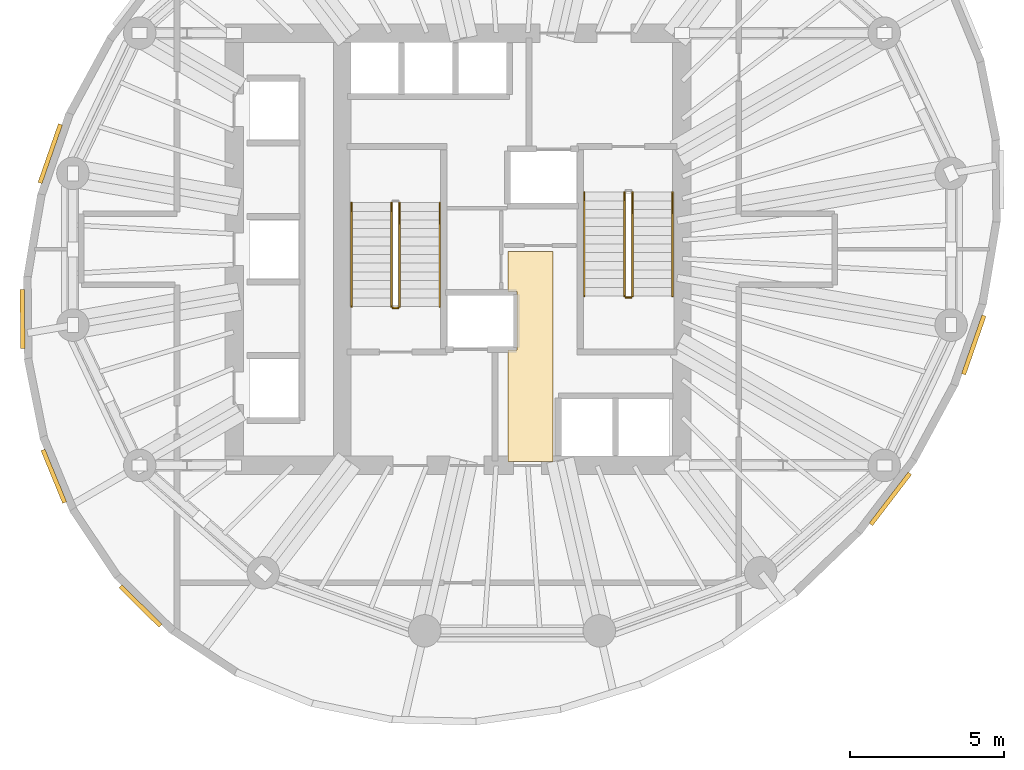
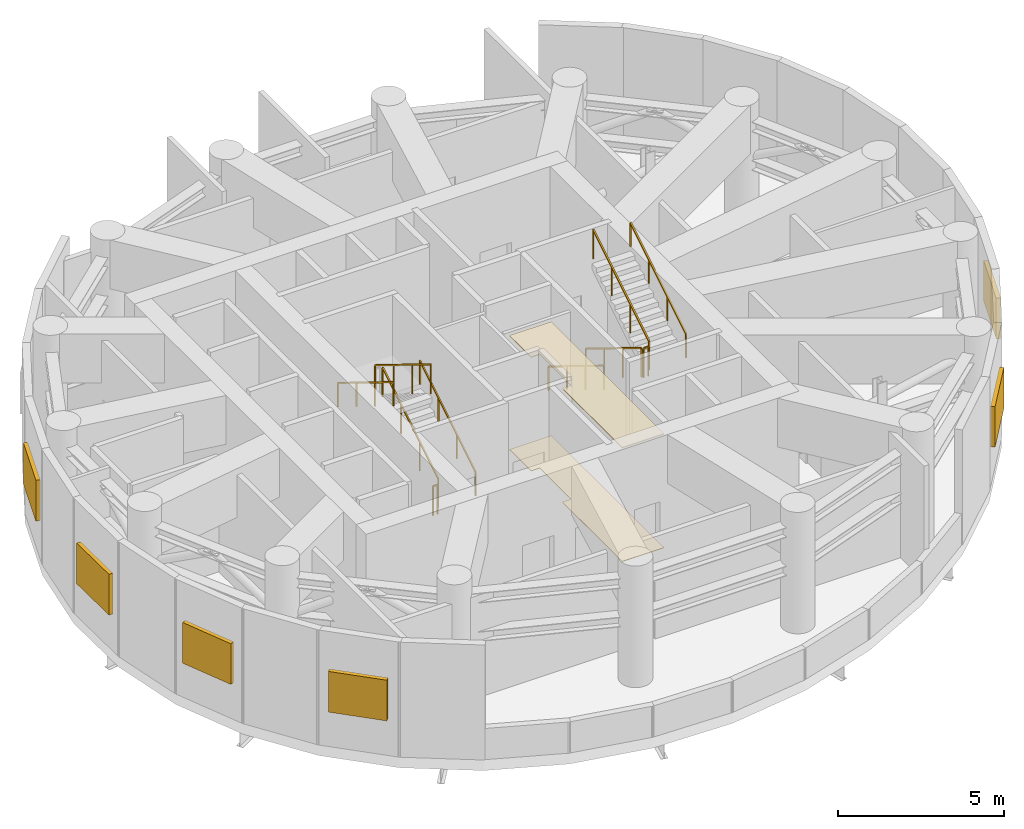
# One storey, part 7 of 8: 10 railings, 6 shading devices, 2 coverings.
"""IFC4 building model written with IfcOpenShell, lengths in metres."""

from ifc_helpers import new_model, si_unit, direction, frame, origin, origin_2d, place, context, subcontext, project, spatial, polyline, rectangle, outline, extrude, material, layer, layer_set, type_object, element, save


model = new_model("IFC4")

# Units and contexts
model_context = context("Model", 3, precision=1e-05, world=origin(), true_north=direction((0.0, 1.0)))
body_context = subcontext(model_context, "Body", "Model", "MODEL_VIEW")
ifc_project = project(units=[si_unit("LENGTHUNIT", "METRE"), si_unit("AREAUNIT", "SQUARE_METRE"), si_unit("VOLUMEUNIT", "CUBIC_METRE"), si_unit("PLANEANGLEUNIT", "RADIAN"), si_unit("MASSUNIT", "GRAM", prefix="KILO")], contexts=[model_context])

# Site, building, storey
site_placement = place(None, origin())
site = spatial("IfcSite", under=ifc_project, at=site_placement, CompositionType="ELEMENT")
building_placement = place(site_placement, origin())
building = spatial("IfcBuilding", under=site, at=building_placement, Name="Veldorim Arch Residences", CompositionType="ELEMENT")
storey_placement = place(building_placement, frame((0.0, 0.0, 158.56005859375)))
storey = spatial("IfcBuildingStorey", under=building, at=storey_placement, Name="L47", CompositionType="ELEMENT", Elevation=158.56005859375)

# Shading devices
ifc_material_1 = material(Name="Aluminium", Category="aluminium")
ifc_layer_1 = layer(ifc_material_1, 0.14990234375, Name="Acoustic Stormproof Plant Louvre Bank")
ifc_layer_set_1 = layer_set([ifc_layer_1], Name="Aluminium")
shading_device_type = type_object("IfcShadingDeviceType", Name="Acoustic Stormproof Plant Louvre Bank", PredefinedType="JALOUSIE", material=ifc_layer_set_1)
shading_device_1_placement = place(storey_placement, frame((17.044677734375, 27.09814453125, 1.349853515625), z_axis=(0.0, 0.0, 1.0), x_axis=(0.32870181696, 0.944433753911, 0.0)))
element("IfcShadingDevice", 1, at=shading_device_1_placement, inside=storey, type_object=shading_device_type, Name="L47 plant stormproof acoustic louvre 12", PredefinedType="JALOUSIE", context=body_context, shape_type="SweptSolid", body=[
    extrude(rectangle(XDim=2.010009765625, YDim=0.139892578125, at=origin_2d()), origin(), (0.0, 0.0, 1.0), 1.5),
])
shading_device_2_placement = place(storey_placement, frame((16.146484375, 21.73828125, 1.349853515625), z_axis=(0.0, 0.0, 1.0), x_axis=(-0.010995352723, 0.999939549282, 0.0)))
element("IfcShadingDevice", 2, at=shading_device_2_placement, inside=storey, type_object=shading_device_type, Name="L47 plant stormproof acoustic louvre 14", PredefinedType="JALOUSIE", context=body_context, shape_type="SweptSolid", body=[
    extrude(rectangle(XDim=1.9169921875, YDim=0.139892578125, at=origin_2d()), origin(), (0.0, 0.0, 1.0), 1.5),
])
shading_device_3_placement = place(storey_placement, frame((17.160888671875, 16.649658203125, 1.349853515625), z_axis=(0.0, 0.0, 1.0), x_axis=(-0.380263412733, 0.924878228167, 0.0)))
element("IfcShadingDevice", 3, at=shading_device_3_placement, inside=storey, type_object=shading_device_type, Name="L47 plant stormproof acoustic louvre 16", PredefinedType="JALOUSIE", context=body_context, shape_type="SweptSolid", body=[
    extrude(rectangle(XDim=1.842041015625, YDim=0.139892578125, at=origin_2d()), origin(), (0.0, 0.0, 1.0), 1.5),
])
shading_device_4_placement = place(storey_placement, frame((19.96728515625, 12.447021484375, 1.349853515625), z_axis=(0.0, 0.0, 1.0), x_axis=(-0.709939584863, 0.704262583022, 0.0)))
element("IfcShadingDevice", 4, at=shading_device_4_placement, inside=storey, type_object=shading_device_type, Name="L47 plant stormproof acoustic louvre 18", PredefinedType="JALOUSIE", context=body_context, shape_type="SweptSolid", body=[
    extrude(rectangle(XDim=1.824951171875, YDim=0.139892578125, at=origin_2d()), origin(), (0.0, 0.0, 1.0), 1.5),
])
shading_device_5_placement = place(storey_placement, frame((44.254638671875, 15.9169921875, 1.349853515625), z_axis=(0.0, 0.0, 1.0), x_axis=(-0.607514481979, -0.794308601354, 0.0)))
element("IfcShadingDevice", 5, at=shading_device_5_placement, inside=storey, type_object=shading_device_type, Name="L47 plant stormproof acoustic louvre 28", PredefinedType="JALOUSIE", context=body_context, shape_type="SweptSolid", body=[
    extrude(rectangle(XDim=2.0791015625, YDim=0.139892578125, at=origin_2d()), origin(), (0.0, 0.0, 1.0), 1.5),
])
shading_device_6_placement = place(storey_placement, frame((46.955322265625, 20.90185546875, 1.349853515625), z_axis=(0.0, 0.0, 1.0), x_axis=(-0.32870181696, -0.944433753911, 0.0)))
element("IfcShadingDevice", 6, at=shading_device_6_placement, inside=storey, type_object=shading_device_type, Name="L47 plant stormproof acoustic louvre 30", PredefinedType="JALOUSIE", context=body_context, shape_type="SweptSolid", body=[
    extrude(rectangle(XDim=2.010009765625, YDim=0.139892578125, at=origin_2d()), origin(), (0.0, 0.0, 1.0), 1.5),
])

# Railings
ifc_material_2 = material(Name="Steel S355", Category="steel")
railing_type_1 = type_object("IfcRailingType", Name="Galvanised Steel Stair Safety Guardrail 1100", PredefinedType="GUARDRAIL", material=ifc_material_2)
railing_1_placement = place(storey_placement, frame((28.360107421875, 22.14990234375, 0.17236328125)))
element("IfcRailing", 7, at=railing_1_placement, inside=storey, type_object=railing_type_1, Name="L47 ST-1 stair guard 1", PredefinedType="GUARDRAIL", context=body_context, shape_type="SweptSolid", body=[
    extrude(rectangle(XDim=0.048095703125, YDim=0.048095703125, at=origin_2d()), frame((0.0, 0.0, 1.076171875), z_axis=(0.0, 0.851673189135, 0.524073257196), x_axis=(-1.0, 0.0, 0.0)), (0.0, 0.0, 1.0), 3.9453125),
    extrude(rectangle(XDim=0.0419921875, YDim=0.0419921875, at=origin_2d()), origin(), (0.0, 0.0, 1.0), 1.052001953125),
    extrude(rectangle(XDim=0.0419921875, YDim=0.0419921875, at=origin_2d()), frame((0.0, 1.1201171875, 0.689208984375)), (0.0, 0.0, 1.0), 1.052001953125),
    extrude(rectangle(XDim=0.0419921875, YDim=0.0419921875, at=origin_2d()), frame((0.0, 2.239990234375, 1.37841796875)), (0.0, 0.0, 1.0), 1.052001953125),
    extrude(rectangle(XDim=0.0419921875, YDim=0.0419921875, at=origin_2d()), frame((0.0, 3.360107421875, 2.067626953125)), (0.0, 0.0, 1.0), 1.052001953125),
])
railing_2_placement = place(storey_placement, frame((28.10009765625, 25.510009765625, 2.412353515625)))
element("IfcRailing", 8, at=railing_2_placement, inside=storey, type_object=railing_type_1, Name="L47 ST-1 stair guard 3", PredefinedType="GUARDRAIL", context=body_context, shape_type="SweptSolid", body=[
    extrude(rectangle(XDim=0.048095703125, YDim=0.048095703125, at=origin_2d()), frame((0.0, 0.0, 1.076171875), z_axis=(0.0, -0.851673189135, 0.524073257196), x_axis=(1.0, 0.0, 0.0)), (0.0, 0.0, 1.0), 3.9453125),
    extrude(rectangle(XDim=0.0419921875, YDim=0.0419921875, at=origin_2d()), origin(), (0.0, 0.0, 1.0), 1.052001953125),
    extrude(rectangle(XDim=0.0419921875, YDim=0.0419921875, at=origin_2d()), frame((0.0, -1.1201171875, 0.689208984375)), (0.0, 0.0, 1.0), 1.052001953125),
    extrude(rectangle(XDim=0.0419921875, YDim=0.0419921875, at=origin_2d()), frame((0.0, -2.239990234375, 1.37841796875)), (0.0, 0.0, 1.0), 1.052001953125),
    extrude(rectangle(XDim=0.0419921875, YDim=0.0419921875, at=origin_2d()), frame((0.0, -3.360107421875, 2.067626953125)), (0.0, 0.0, 1.0), 1.052001953125),
])
railing_3_placement = place(storey_placement, frame((28.31005859375, 22.10009765625, 0.0)))
element("IfcRailing", 9, at=railing_3_placement, inside=storey, type_object=railing_type_1, Name="L47 ST-1 stair guard 4", PredefinedType="GUARDRAIL", context=body_context, shape_type="SweptSolid", body=[
    extrude(rectangle(XDim=0.048095703125, YDim=0.048095703125, at=origin_2d()), frame((0.0, 0.0, 1.076171875), z_axis=(-1.0, 0.0, 0.0), x_axis=(0.0, -1.0, 0.0)), (0.0, 0.0, 1.0), 0.16015625),
    extrude(rectangle(XDim=0.0419921875, YDim=0.0419921875, at=origin_2d()), origin(), (0.0, 0.0, 1.0), 1.052001953125),
    extrude(rectangle(XDim=0.0419921875, YDim=0.0419921875, at=origin_2d()), frame((-0.16015625, 0.0, 0.0)), (0.0, 0.0, 1.0), 1.052001953125),
])
railing_4_placement = place(storey_placement, frame((35.639892578125, 25.85009765625, 0.17236328125)))
element("IfcRailing", 10, at=railing_4_placement, inside=storey, type_object=railing_type_1, Name="L47 ST-2 stair guard 1", PredefinedType="GUARDRAIL", context=body_context, shape_type="SweptSolid", body=[
    extrude(rectangle(XDim=0.048095703125, YDim=0.048095703125, at=origin_2d()), frame((0.0, 0.0, 1.076171875), z_axis=(0.0, -0.851673189135, 0.524073257196), x_axis=(1.0, 0.0, 0.0)), (0.0, 0.0, 1.0), 3.9453125),
    extrude(rectangle(XDim=0.0419921875, YDim=0.0419921875, at=origin_2d()), origin(), (0.0, 0.0, 1.0), 1.052001953125),
    extrude(rectangle(XDim=0.0419921875, YDim=0.0419921875, at=origin_2d()), frame((0.0, -1.1201171875, 0.689208984375)), (0.0, 0.0, 1.0), 1.052001953125),
    extrude(rectangle(XDim=0.0419921875, YDim=0.0419921875, at=origin_2d()), frame((0.0, -2.239990234375, 1.37841796875)), (0.0, 0.0, 1.0), 1.052001953125),
    extrude(rectangle(XDim=0.0419921875, YDim=0.0419921875, at=origin_2d()), frame((0.0, -3.360107421875, 2.067626953125)), (0.0, 0.0, 1.0), 1.052001953125),
])
railing_5_placement = place(storey_placement, frame((35.68994140625, 22.43994140625, 2.239990234375)))
element("IfcRailing", 11, at=railing_5_placement, inside=storey, type_object=railing_type_1, Name="L47 ST-2 stair guard 2", PredefinedType="GUARDRAIL", context=body_context, shape_type="SweptSolid", body=[
    extrude(rectangle(XDim=0.048095703125, YDim=0.048095703125, at=origin_2d()), frame((0.0, 0.0, 1.076171875), z_axis=(1.0, 0.0, 0.0), x_axis=(0.0, 1.0, 0.0)), (0.0, 0.0, 1.0), 0.16015625),
    extrude(rectangle(XDim=0.0419921875, YDim=0.0419921875, at=origin_2d()), origin(), (0.0, 0.0, 1.0), 1.052001953125),
    extrude(rectangle(XDim=0.0419921875, YDim=0.0419921875, at=origin_2d()), frame((0.16015625, 0.0, 0.0)), (0.0, 0.0, 1.0), 1.052001953125),
])
railing_6_placement = place(storey_placement, frame((35.89990234375, 22.489990234375, 2.412353515625)))
element("IfcRailing", 12, at=railing_6_placement, inside=storey, type_object=railing_type_1, Name="L47 ST-2 stair guard 3", PredefinedType="GUARDRAIL", context=body_context, shape_type="SweptSolid", body=[
    extrude(rectangle(XDim=0.048095703125, YDim=0.048095703125, at=origin_2d()), frame((0.0, 0.0, 1.076171875), z_axis=(0.0, 0.851673189135, 0.524073257196), x_axis=(-1.0, 0.0, 0.0)), (0.0, 0.0, 1.0), 3.9453125),
    extrude(rectangle(XDim=0.0419921875, YDim=0.0419921875, at=origin_2d()), origin(), (0.0, 0.0, 1.0), 1.052001953125),
    extrude(rectangle(XDim=0.0419921875, YDim=0.0419921875, at=origin_2d()), frame((0.0, 1.1201171875, 0.689208984375)), (0.0, 0.0, 1.0), 1.052001953125),
    extrude(rectangle(XDim=0.0419921875, YDim=0.0419921875, at=origin_2d()), frame((0.0, 2.239990234375, 1.37841796875)), (0.0, 0.0, 1.0), 1.052001953125),
    extrude(rectangle(XDim=0.0419921875, YDim=0.0419921875, at=origin_2d()), frame((0.0, 3.360107421875, 2.067626953125)), (0.0, 0.0, 1.0), 1.052001953125),
])

# Coverings
ifc_material_3 = material(Name="Acoustic Gypsum & Mineral Fibre", Category="gypsum")
ifc_layer_2 = layer(ifc_material_3, 0.034912109375, Name="Perforated Acoustic Mineral-Fibre Ceiling 35")
ifc_layer_set_2 = layer_set([ifc_layer_2], Name="Acoustic Gypsum & Mineral Fibre")
covering_type_1 = type_object("IfcCoveringType", Name="Perforated Acoustic Mineral-Fibre Ceiling 35", PredefinedType="CEILING", material=ifc_layer_set_2)
covering_1_placement = place(storey_placement, frame((0.0, 0.0, 4.18505859375)))
element("IfcCovering", 13, at=covering_1_placement, inside=storey, type_object=covering_type_1, Name="L47 acoustic suspended ceiling 01", PredefinedType="CEILING", context=body_context, shape_type="SweptSolid", body=[
    extrude(outline(polyline([(33.330078125, 23.929931640625), (33.330078125, 17.1201171875), (31.8701171875, 17.1201171875), (31.8701171875, 20.735107421875), (32.169921875, 20.735107421875), (32.169921875, 22.625), (31.8701171875, 22.625), (31.8701171875, 23.929931640625), (33.330078125, 23.929931640625)])), origin(), (0.0, 0.0, 1.0), 0.034912109375),
])
ifc_material_4 = material(Name="Porcelain Ceramic Tile", Category="ceramic")
ifc_layer_3 = layer(ifc_material_4, 0.02001953125, Name="Slip-Resistant Porcelain & Vinyl Floor Finish 20")
ifc_layer_set_3 = layer_set([ifc_layer_3], Name="Porcelain Ceramic Tile")
covering_type_2 = type_object("IfcCoveringType", Name="Slip-Resistant Porcelain & Vinyl Floor Finish 20", PredefinedType="FLOORING", material=ifc_layer_set_3)
covering_2_placement = place(storey_placement, origin())
element("IfcCovering", 14, at=covering_2_placement, inside=storey, type_object=covering_type_2, Name="L47 porcelain floor finish 01", PredefinedType="FLOORING", context=body_context, shape_type="SweptSolid", body=[
    extrude(outline(polyline([(33.330078125, 23.929931640625), (33.330078125, 17.1201171875), (31.8701171875, 17.1201171875), (31.8701171875, 20.735107421875), (32.169921875, 20.735107421875), (32.169921875, 22.625), (31.8701171875, 22.625), (31.8701171875, 23.929931640625), (33.330078125, 23.929931640625)])), origin(), (0.0, 0.0, 1.0), 0.02001953125),
])

# Railings
ifc_material_5 = material(Name="Stainless Steel", Category="steel")
railing_type_2 = type_object("IfcRailingType", Name="Tubular Steel Continuous Wall Handrail 900", PredefinedType="HANDRAIL", material=ifc_material_5)
railing_7_placement = place(storey_placement, frame((29.659912109375, 22.14990234375, 0.17236328125)))
element("IfcRailing", 15, at=railing_7_placement, inside=storey, type_object=railing_type_2, Name="L47 ST-1 stair handrail 1", PredefinedType="HANDRAIL", context=body_context, shape_type="SweptSolid", body=[
    extrude(rectangle(XDim=0.048095703125, YDim=0.048095703125, at=origin_2d()), frame((0.0, 0.0, 0.8759765625), z_axis=(0.0, 0.851673189135, 0.524073257196), x_axis=(-1.0, 0.0, 0.0)), (0.0, 0.0, 1.0), 3.9453125),
    extrude(rectangle(XDim=0.0419921875, YDim=0.0419921875, at=origin_2d()), origin(), (0.0, 0.0, 1.0), 0.851806640625),
    extrude(rectangle(XDim=0.0419921875, YDim=0.0419921875, at=origin_2d()), frame((0.0, 1.1201171875, 0.689208984375)), (0.0, 0.0, 1.0), 0.851806640625),
    extrude(rectangle(XDim=0.0419921875, YDim=0.0419921875, at=origin_2d()), frame((0.0, 2.239990234375, 1.37841796875)), (0.0, 0.0, 1.0), 0.851806640625),
    extrude(rectangle(XDim=0.0419921875, YDim=0.0419921875, at=origin_2d()), frame((0.0, 3.360107421875, 2.067626953125)), (0.0, 0.0, 1.0), 0.851806640625),
])
for number, where, name in (
    (16, (26.800048828125, 25.510009765625, 2.412353515625), "L47 ST-1 stair handrail 2"),
    (17, (34.340087890625, 25.85009765625, 0.17236328125), "L47 ST-2 stair handrail 1"),
):
    element("IfcRailing", number, at=place(storey_placement, frame(where)), inside=storey, type_object=railing_type_2, Name=name, PredefinedType="HANDRAIL", context=body_context, shape_type="SweptSolid", body=[
        extrude(rectangle(XDim=0.048095703125, YDim=0.048095703125, at=origin_2d()), frame((0.0, 0.0, 0.8759765625), z_axis=(0.0, -0.851673189135, 0.524073257196), x_axis=(1.0, 0.0, 0.0)), (0.0, 0.0, 1.0), 3.9453125),
        extrude(rectangle(XDim=0.0419921875, YDim=0.0419921875, at=origin_2d()), origin(), (0.0, 0.0, 1.0), 0.851806640625),
        extrude(rectangle(XDim=0.0419921875, YDim=0.0419921875, at=origin_2d()), frame((0.0, -1.1201171875, 0.689208984375)), (0.0, 0.0, 1.0), 0.851806640625),
        extrude(rectangle(XDim=0.0419921875, YDim=0.0419921875, at=origin_2d()), frame((0.0, -2.239990234375, 1.37841796875)), (0.0, 0.0, 1.0), 0.851806640625),
        extrude(rectangle(XDim=0.0419921875, YDim=0.0419921875, at=origin_2d()), frame((0.0, -3.360107421875, 2.067626953125)), (0.0, 0.0, 1.0), 0.851806640625),
    ])
railing_8_placement = place(storey_placement, frame((37.199951171875, 22.489990234375, 2.412353515625)))
element("IfcRailing", 18, at=railing_8_placement, inside=storey, type_object=railing_type_2, Name="L47 ST-2 stair handrail 2", PredefinedType="HANDRAIL", context=body_context, shape_type="SweptSolid", body=[
    extrude(rectangle(XDim=0.048095703125, YDim=0.048095703125, at=origin_2d()), frame((0.0, 0.0, 0.8759765625), z_axis=(0.0, 0.851673189135, 0.524073257196), x_axis=(-1.0, 0.0, 0.0)), (0.0, 0.0, 1.0), 3.9453125),
    extrude(rectangle(XDim=0.0419921875, YDim=0.0419921875, at=origin_2d()), origin(), (0.0, 0.0, 1.0), 0.851806640625),
    extrude(rectangle(XDim=0.0419921875, YDim=0.0419921875, at=origin_2d()), frame((0.0, 1.1201171875, 0.689208984375)), (0.0, 0.0, 1.0), 0.851806640625),
    extrude(rectangle(XDim=0.0419921875, YDim=0.0419921875, at=origin_2d()), frame((0.0, 2.239990234375, 1.37841796875)), (0.0, 0.0, 1.0), 0.851806640625),
    extrude(rectangle(XDim=0.0419921875, YDim=0.0419921875, at=origin_2d()), frame((0.0, 3.360107421875, 2.067626953125)), (0.0, 0.0, 1.0), 0.851806640625),
])

save(model, "model.ifc")
